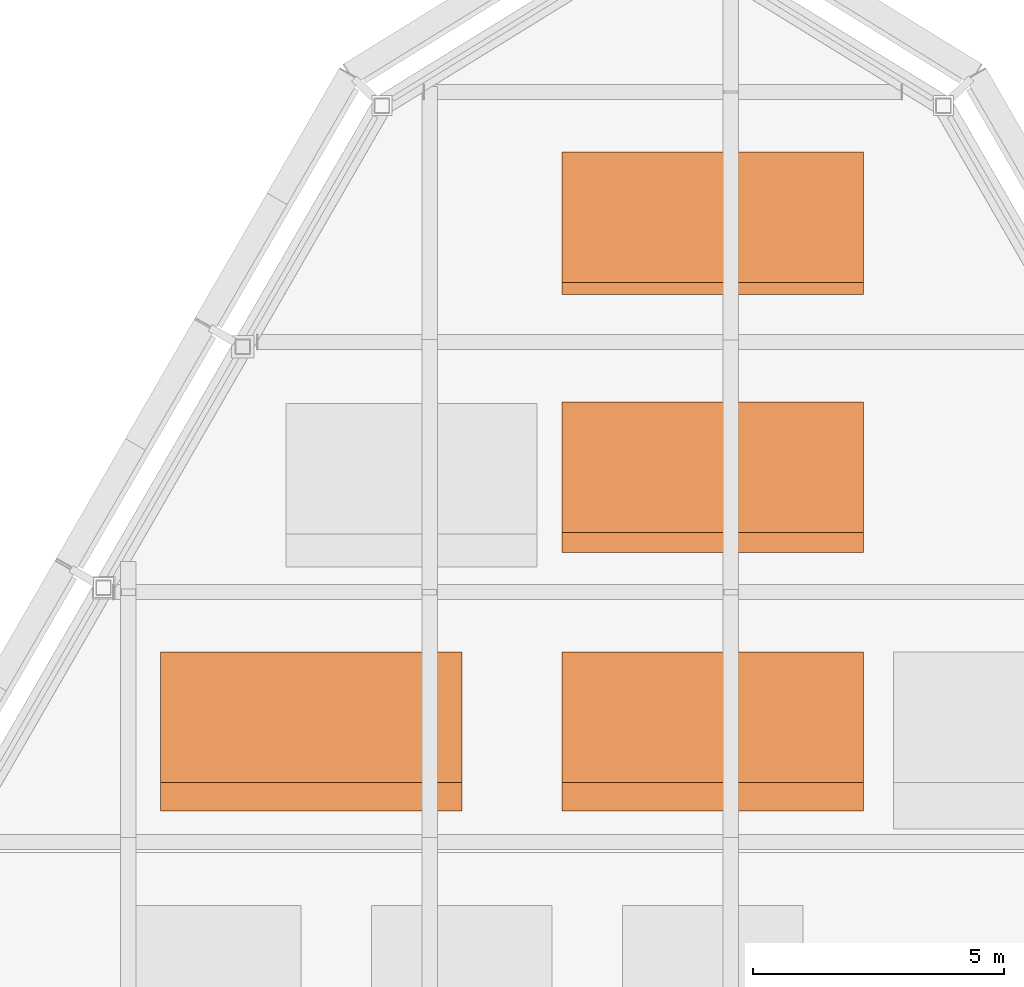
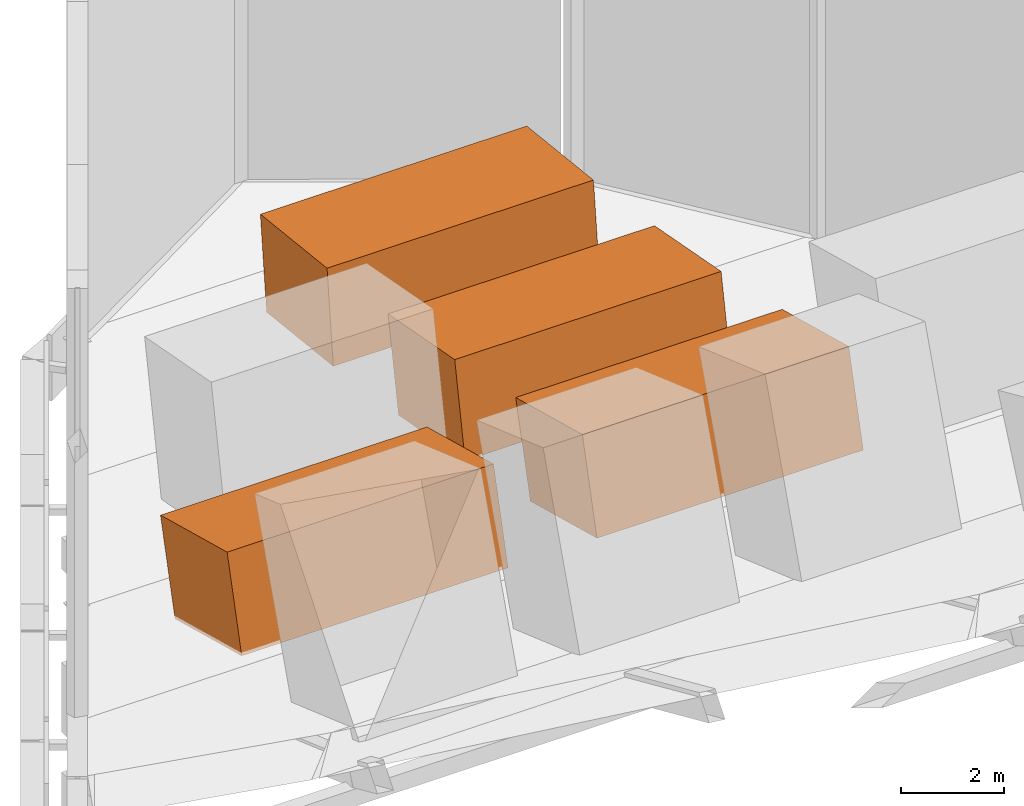
# One storey, part 13 of 13: 4 proxies.
"""IFC4 building model written with IfcOpenShell, lengths in metres."""

from ifc_helpers import new_model, si_unit, direction, frame, origin, place, context, subcontext, project, spatial, polyline, outline, extrude, material, type_object, element, save


model = new_model("IFC4")

# Units and contexts
model_context = context("Model", 3, precision=1e-05, world=origin(), true_north=direction((0.0, 1.0)))
body_context = subcontext(model_context, "Body", "Model", "MODEL_VIEW")
ifc_project = project(units=[si_unit("LENGTHUNIT", "METRE"), si_unit("AREAUNIT", "SQUARE_METRE"), si_unit("VOLUMEUNIT", "CUBIC_METRE"), si_unit("PLANEANGLEUNIT", "RADIAN"), si_unit("MASSUNIT", "GRAM", prefix="KILO")], contexts=[model_context])

# Site, building, storey
site_placement = place(None, origin())
site = spatial("IfcSite", under=ifc_project, at=site_placement, CompositionType="ELEMENT")
building_placement = place(site_placement, origin())
building = spatial("IfcBuilding", under=site, at=building_placement, Name="Firuza Gate Tower and Library", CompositionType="ELEMENT")
storey_placement = place(building_placement, frame((0.0, 0.0, 358.0)))
storey = spatial("IfcBuildingStorey", under=building, at=storey_placement, Name="Upper roof", CompositionType="ELEMENT", Elevation=358.0)

# Proxies
ifc_material = material(Name="Steel S355", Category="steel")
building_element_proxy_type = type_object("IfcBuildingElementProxyType", Name="Roof plant unit", PredefinedType="USERDEFINED", material=ifc_material)
proxy_1_placement = place(storey_placement, frame((73.0, 90.710205078125, 3.805908203125), z_axis=(0.0, 0.110677340836, 0.993856391148), x_axis=(1.0, 0.0, 0.0)))
element("IfcBuildingElementProxy", 1, at=proxy_1_placement, inside=storey, type_object=building_element_proxy_type, Name="ROOF PLANT unit 1", ObjectType="ROOF PLANT", PredefinedType="USERDEFINED", context=body_context, shape_type="SweptSolid", body=[
    extrude(outline(polyline([(0.0, 0.0), (6.0, 0.0), (6.0, 2.616170383778402), (0.0, 2.616170383778402), (0.0, 0.0)])), origin(), (0.0, 0.0, -1.0), 2.199951171875),
])
proxy_2_placement = place(storey_placement, frame((73.0, 85.73046875, 4.649658203125), z_axis=(0.0, 0.18447797733, 0.982836647607), x_axis=(1.0, 0.0, 0.0)))
element("IfcBuildingElementProxy", 2, at=proxy_2_placement, inside=storey, type_object=building_element_proxy_type, Name="ROOF PLANT unit 2", ObjectType="ROOF PLANT", PredefinedType="USERDEFINED", context=body_context, shape_type="SweptSolid", body=[
    extrude(outline(polyline([(0.0, 0.0), (6.0, 0.0), (6.0, 2.6455033627201927), (0.0, 2.6455033627201927), (0.0, 0.0)])), origin(), (0.0, 0.0, -1.0), 2.199951171875),
])
for number, where, z_axis, x_axis, name in (
    (3, (65.0, 80.7509765625, 5.885986328125), (0.0, 0.258278059607, 0.966070620568), (1.0, 0.0, 0.0), "ROOF PLANT unit 3"),
    (4, (73.0, 80.7509765625, 5.885986328125), (0.0, 0.258278059607, 0.966070620568), (1.0, 0.0, 0.0), "ROOF PLANT unit 4"),
):
    element("IfcBuildingElementProxy", number, at=place(storey_placement, frame(where, z_axis=z_axis, x_axis=x_axis)), inside=storey, type_object=building_element_proxy_type, Name=name, ObjectType="ROOF PLANT", PredefinedType="USERDEFINED", context=body_context, shape_type="SweptSolid", body=[
        extrude(outline(polyline([(0.0, 0.0), (6.0, 0.0), (6.0, 2.691163006380685), (0.0, 2.691163006380685), (0.0, 0.0)])), origin(), (0.0, 0.0, -1.0), 2.199951171875),
    ])

save(model, "model.ifc")
